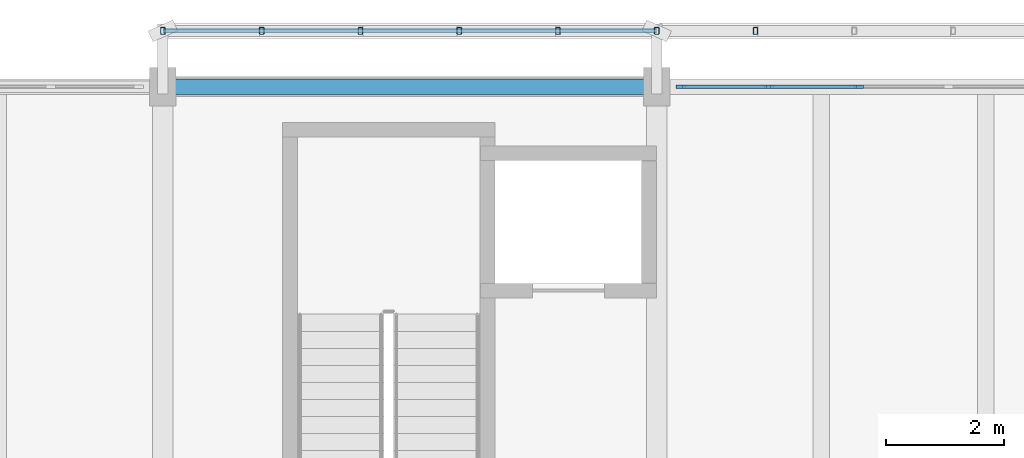
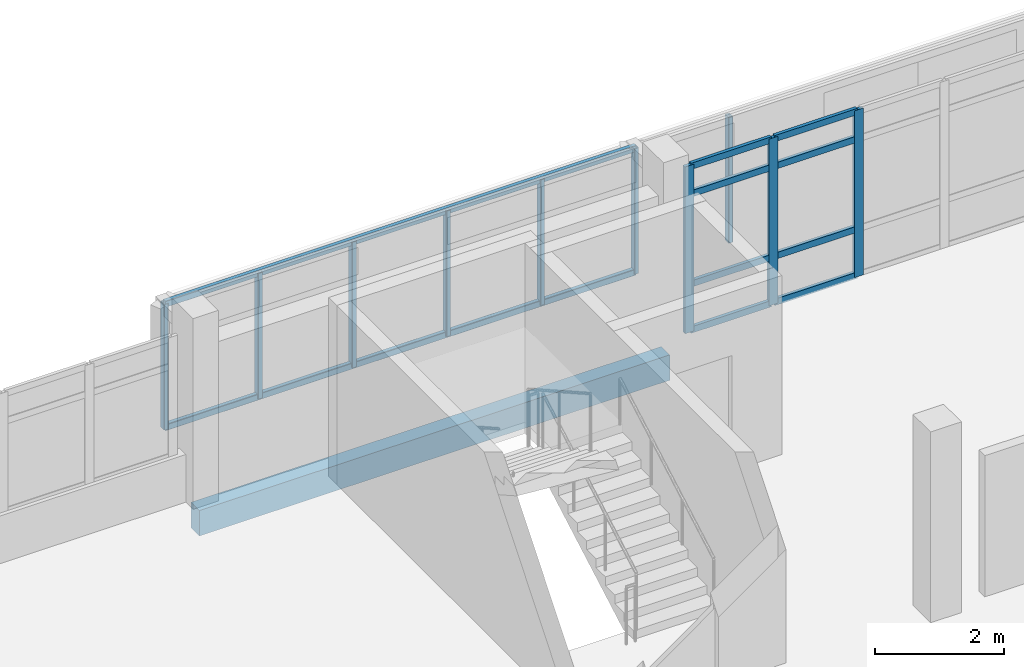
# One storey, part 6 of 30: 20 members, 1 beam, 1 element without a shape of its own.
"""IFC4 building model written with IfcOpenShell, lengths in metres."""

from ifc_helpers import new_model, si_unit, direction, frame, origin, origin_2d, place, context, subcontext, project, spatial, rectangle, hollow_rectangle, extrude, material, material_profile, profile_set, type_object, element, aggregate, save


model = new_model("IFC4")

# Units and contexts
model_context = context("Model", 3, precision=1e-05, world=origin(), true_north=direction((0.0, 1.0)))
body_context = subcontext(model_context, "Body", "Model", "MODEL_VIEW")
ifc_project = project(units=[si_unit("LENGTHUNIT", "METRE"), si_unit("AREAUNIT", "SQUARE_METRE"), si_unit("VOLUMEUNIT", "CUBIC_METRE"), si_unit("PLANEANGLEUNIT", "RADIAN"), si_unit("MASSUNIT", "GRAM", prefix="KILO")], contexts=[model_context])

# Site, building, storey
site_placement = place(None, origin())
site = spatial("IfcSite", under=ifc_project, at=site_placement, CompositionType="ELEMENT")
building_placement = place(site_placement, origin())
building = spatial("IfcBuilding", under=site, at=building_placement, Name="Cinderway Yard Community Centre", CompositionType="ELEMENT")
storey_placement = place(building_placement, frame((0.0, 0.0, 16.5)))
storey = spatial("IfcBuildingStorey", under=building, at=storey_placement, Name="L04", CompositionType="ELEMENT", Elevation=16.5)

# Curtain wall, members
ifc_material_1 = material(Name="Aluminium 6063-T6", Category="aluminium")
curtain_wall_type = type_object("IfcCurtainWallType", Name="ENV-CW-TYPE-32", PredefinedType="USERDEFINED", material=ifc_material_1)
curtain_wall_placement = place(storey_placement, origin())
curtain_wall = element("IfcCurtainWall", 1, at=curtain_wall_placement, inside=storey, type_object=curtain_wall_type, Name="V4 Street Curtain Wall ENV-CW-L04-ST-0179", ObjectType="GLAZED CURTAIN WALL", PredefinedType="USERDEFINED")
ifc_material_profile_1 = material_profile(ifc_material_1, rectangle(XDim=0.06005859375, YDim=0.159912109375, at=origin_2d()), Name="Aluminium 6063-T6")
ifc_profile_set_1 = profile_set([ifc_material_profile_1], Name="Aluminium 6063-T6")
member_type_1 = type_object("IfcMemberType", Name="ENV-CW-MULL-150", PredefinedType="MULLION", material=ifc_profile_set_1)
member_1_placement = place(storey_placement, frame((67.2099609375, 115.199951171875, 0.0), z_axis=(0.0, 0.0, 1.0), x_axis=(0.0, 1.0, 0.0)))
member_1 = element("IfcMember", 2, at=member_1_placement, type_object=member_type_1, Name="CW-32 mullion 1", PredefinedType="MULLION", context=body_context, shape_type="SweptSolid", body=[
    extrude(rectangle(XDim=0.06005859375, YDim=0.159912109375, at=origin_2d()), origin(), (0.0, 0.0, 1.0), 3.14990234375),
])
member_2_placement = place(storey_placement, frame((68.7080078125, 115.199951171875, 0.0), z_axis=(0.0, 0.0, 1.0), x_axis=(0.0, 1.0, 0.0)))
member_2 = element("IfcMember", 3, at=member_2_placement, type_object=member_type_1, Name="CW-32 mullion 2", PredefinedType="MULLION", context=body_context, shape_type="SweptSolid", body=[
    extrude(rectangle(XDim=0.06005859375, YDim=0.159912109375, at=origin_2d()), origin(), (0.0, 0.0, 1.0), 3.14990234375),
])
member_3_placement = place(storey_placement, frame((70.236083984375, 115.199951171875, 0.0), z_axis=(0.0, 0.0, 1.0), x_axis=(0.0, 1.0, 0.0)))
member_3 = element("IfcMember", 4, at=member_3_placement, type_object=member_type_1, Name="CW-32 mullion 3", PredefinedType="MULLION", context=body_context, shape_type="SweptSolid", body=[
    extrude(rectangle(XDim=0.06005859375, YDim=0.159912109375, at=origin_2d()), origin(), (0.0, 0.0, 1.0), 3.14990234375),
])
ifc_material_profile_2 = material_profile(ifc_material_1, rectangle(XDim=0.06005859375, YDim=0.1201171875, at=origin_2d()), Name="Aluminium 6063-T6")
ifc_profile_set_2 = profile_set([ifc_material_profile_2], Name="Aluminium 6063-T6")
member_type_2 = type_object("IfcMemberType", Name="ENV-CW-TRAN-110", PredefinedType="USERDEFINED", material=ifc_profile_set_2)
member_4_placement = place(storey_placement, frame((67.239990234375, 115.199951171875, 0.030029296875), z_axis=(1.0, 0.0, 0.0), x_axis=(0.0, 1.0, 0.0)))
member_4 = element("IfcMember", 5, at=member_4_placement, type_object=member_type_2, Name="CW-32 transom 1.1", ObjectType="TRANSOM", PredefinedType="USERDEFINED", context=body_context, shape_type="SweptSolid", body=[
    extrude(rectangle(XDim=0.06005859375, YDim=0.1201171875, at=origin_2d()), origin(), (0.0, 0.0, 1.0), 1.43798828125),
])
member_5_placement = place(storey_placement, frame((67.239990234375, 115.199951171875, 0.89990234375), z_axis=(1.0, 0.0, 0.0), x_axis=(0.0, 1.0, 0.0)))
member_5 = element("IfcMember", 6, at=member_5_placement, type_object=member_type_2, Name="CW-32 transom 1.2", ObjectType="TRANSOM", PredefinedType="USERDEFINED", context=body_context, shape_type="SweptSolid", body=[
    extrude(rectangle(XDim=0.06005859375, YDim=0.1201171875, at=origin_2d()), origin(), (0.0, 0.0, 1.0), 1.43798828125),
])
member_6_placement = place(storey_placement, frame((67.239990234375, 115.199951171875, 2.60009765625), z_axis=(1.0, 0.0, 0.0), x_axis=(0.0, 1.0, 0.0)))
member_6 = element("IfcMember", 7, at=member_6_placement, type_object=member_type_2, Name="CW-32 transom 1.3", ObjectType="TRANSOM", PredefinedType="USERDEFINED", context=body_context, shape_type="SweptSolid", body=[
    extrude(rectangle(XDim=0.06005859375, YDim=0.1201171875, at=origin_2d()), origin(), (0.0, 0.0, 1.0), 1.43798828125),
])
member_7_placement = place(storey_placement, frame((67.239990234375, 115.199951171875, 3.1201171875), z_axis=(1.0, 0.0, 0.0), x_axis=(0.0, 1.0, 0.0)))
member_7 = element("IfcMember", 8, at=member_7_placement, type_object=member_type_2, Name="CW-32 transom 1.4", ObjectType="TRANSOM", PredefinedType="USERDEFINED", context=body_context, shape_type="SweptSolid", body=[
    extrude(rectangle(XDim=0.06005859375, YDim=0.1201171875, at=origin_2d()), origin(), (0.0, 0.0, 1.0), 1.43798828125),
])
member_8_placement = place(storey_placement, frame((68.738037109375, 115.199951171875, 0.030029296875), z_axis=(1.0, 0.0, 0.0), x_axis=(0.0, 1.0, 0.0)))
member_8 = element("IfcMember", 9, at=member_8_placement, type_object=member_type_2, Name="CW-32 transom 2.1", ObjectType="TRANSOM", PredefinedType="USERDEFINED", context=body_context, shape_type="SweptSolid", body=[
    extrude(rectangle(XDim=0.06005859375, YDim=0.1201171875, at=origin_2d()), origin(), (0.0, 0.0, 1.0), 1.468017578125),
])
member_9_placement = place(storey_placement, frame((68.738037109375, 115.199951171875, 0.89990234375), z_axis=(1.0, 0.0, 0.0), x_axis=(0.0, 1.0, 0.0)))
member_9 = element("IfcMember", 10, at=member_9_placement, type_object=member_type_2, Name="CW-32 transom 2.2", ObjectType="TRANSOM", PredefinedType="USERDEFINED", context=body_context, shape_type="SweptSolid", body=[
    extrude(rectangle(XDim=0.06005859375, YDim=0.1201171875, at=origin_2d()), origin(), (0.0, 0.0, 1.0), 1.468017578125),
])
member_10_placement = place(storey_placement, frame((68.738037109375, 115.199951171875, 2.60009765625), z_axis=(1.0, 0.0, 0.0), x_axis=(0.0, 1.0, 0.0)))
member_10 = element("IfcMember", 11, at=member_10_placement, type_object=member_type_2, Name="CW-32 transom 2.3", ObjectType="TRANSOM", PredefinedType="USERDEFINED", context=body_context, shape_type="SweptSolid", body=[
    extrude(rectangle(XDim=0.06005859375, YDim=0.1201171875, at=origin_2d()), origin(), (0.0, 0.0, 1.0), 1.468017578125),
])
member_11_placement = place(storey_placement, frame((68.738037109375, 115.199951171875, 3.1201171875), z_axis=(1.0, 0.0, 0.0), x_axis=(0.0, 1.0, 0.0)))
member_11 = element("IfcMember", 12, at=member_11_placement, type_object=member_type_2, Name="CW-32 transom 2.4", ObjectType="TRANSOM", PredefinedType="USERDEFINED", context=body_context, shape_type="SweptSolid", body=[
    extrude(rectangle(XDim=0.06005859375, YDim=0.1201171875, at=origin_2d()), origin(), (0.0, 0.0, 1.0), 1.468017578125),
])
aggregate(curtain_wall, [member_1, member_2, member_3, member_4, member_5, member_6, member_7, member_8, member_9, member_10, member_11])

# Members
ifc_material_2 = material(Name="Steel S355", Category="steel")
ifc_material_profile_3 = material_profile(ifc_material_2, hollow_rectangle(XDim=0.080078125, YDim=0.1201171875, WallThickness=0.00634765625, InnerFilletRadius=0.00634765625, OuterFilletRadius=0.0126953125, at=origin_2d()), Name="Steel S355")
ifc_profile_set_3 = profile_set([ifc_material_profile_3], Name="Steel S355")
member_type_3 = type_object("IfcMemberType", Name="ENV-MEM-SCREEN-RAIL-120", PredefinedType="STRINGER", material=ifc_profile_set_3)
for number, where, z_axis, x_axis, name in (
    (13, (58.39990234375, 116.14990234375, 0.7099609375), (1.0, 0.0, 0.0), (0.0, 1.0, 0.0), "Screen support rail 0260-BOT"),
    (14, (58.39990234375, 116.14990234375, 3.0400390625), (1.0, 0.0, 0.0), (0.0, 1.0, 0.0), "Screen support rail 0261-TOP"),
):
    element("IfcMember", number, at=place(storey_placement, frame(where, z_axis=z_axis, x_axis=x_axis)), inside=storey, type_object=member_type_3, Name=name, PredefinedType="STRINGER", context=body_context, shape_type="SweptSolid", body=[
        extrude(hollow_rectangle(XDim=0.080078125, YDim=0.1201171875, WallThickness=0.00634765625, InnerFilletRadius=0.00634765625, OuterFilletRadius=0.0126953125, at=origin_2d()), origin(), (0.0, 0.0, 1.0), 8.400146484375),
    ])
for number, where, z_axis, x_axis, name in (
    (15, (58.39990234375, 116.14990234375, 0.68994140625), (0.0, 0.0, 1.0), (1.0, 0.0, 0.0), "Screen vertical mullion 0262"),
    (16, (60.080078125, 116.14990234375, 0.68994140625), (0.0, 0.0, 1.0), (1.0, 0.0, 0.0), "Screen vertical mullion 0263"),
    (17, (61.760009765625, 116.14990234375, 0.68994140625), (0.0, 0.0, 1.0), (1.0, 0.0, 0.0), "Screen vertical mullion 0264"),
    (18, (63.43994140625, 116.14990234375, 0.68994140625), (0.0, 0.0, 1.0), (1.0, 0.0, 0.0), "Screen vertical mullion 0265"),
    (19, (65.1201171875, 116.14990234375, 0.68994140625), (0.0, 0.0, 1.0), (1.0, 0.0, 0.0), "Screen vertical mullion 0266"),
    (20, (66.800048828125, 116.14990234375, 0.68994140625), (0.0, 0.0, 1.0), (1.0, 0.0, 0.0), "Screen vertical mullion 0267"),
    (21, (68.47998046875, 116.14990234375, 0.68994140625), (0.0, 0.0, 1.0), (1.0, 0.0, 0.0), "Screen vertical mullion 0271"),
):
    element("IfcMember", number, at=place(storey_placement, frame(where, z_axis=z_axis, x_axis=x_axis)), inside=storey, type_object=member_type_3, Name=name, PredefinedType="STRINGER", context=body_context, shape_type="SweptSolid", body=[
        extrude(hollow_rectangle(XDim=0.080078125, YDim=0.1201171875, WallThickness=0.00634765625, InnerFilletRadius=0.00634765625, OuterFilletRadius=0.0126953125, at=origin_2d()), origin(), (0.0, 0.0, 1.0), 2.3701171875),
    ])

# Beam
ifc_material_3 = material(Name="Concrete C40/50", Category="concrete")
ifc_material_profile_4 = material_profile(ifc_material_3, rectangle(XDim=0.260009765625, YDim=0.47998046875, at=origin_2d()), Name="Concrete C40/50")
ifc_profile_set_4 = profile_set([ifc_material_profile_4], Name="Concrete C40/50")
beam_type = type_object("IfcBeamType", Name="STR-BM-RC260X480", PredefinedType="SPANDREL", material=ifc_profile_set_4)
beam_placement = place(storey_placement, frame((58.39990234375, 115.199951171875, -0.4599609375), z_axis=(1.0, 0.0, 0.0), x_axis=(0.0, 1.0, 0.0)))
element("IfcBeam", 22, at=beam_placement, inside=storey, type_object=beam_type, Name="Primary girder STR-BM-L04-SP01-0834", PredefinedType="SPANDREL", context=body_context, shape_type="SweptSolid", body=[
    extrude(rectangle(XDim=0.260009765625, YDim=0.47998046875, at=origin_2d()), origin(), (0.0, 0.0, 1.0), 8.400146484375),
])

save(model, "model.ifc")
